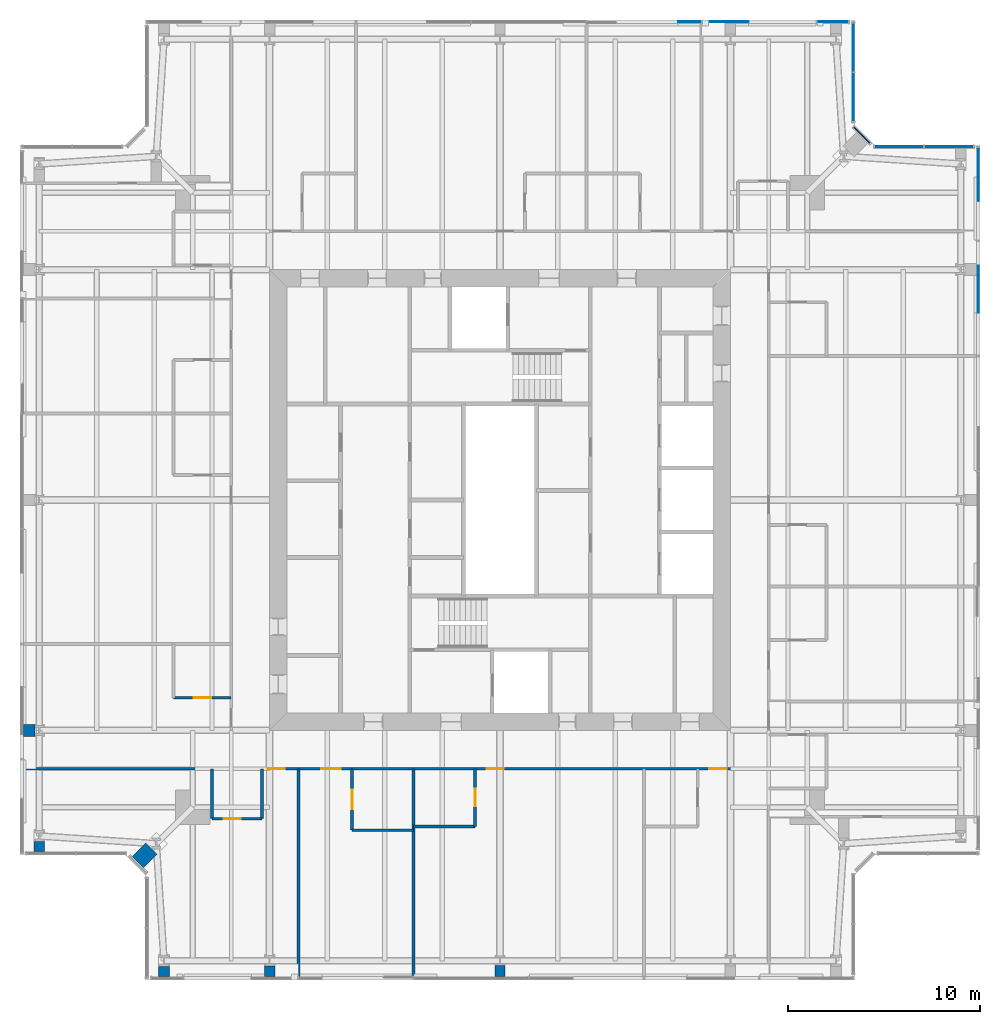
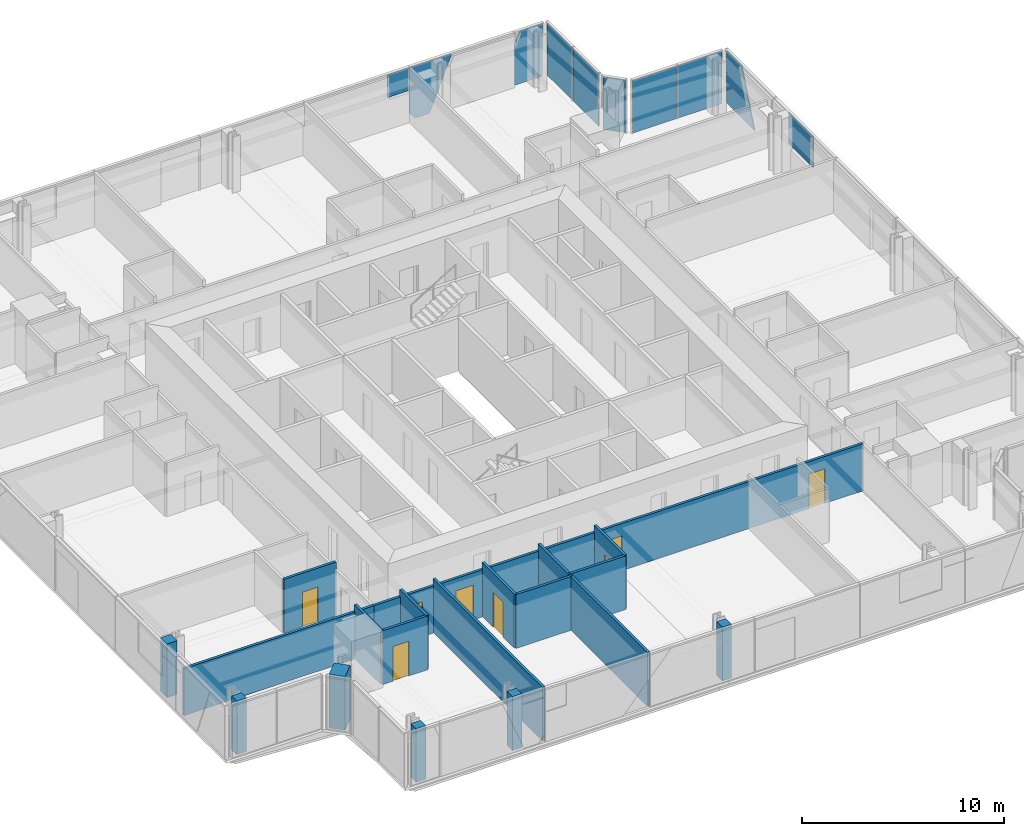
# One storey, part 11 of 19: 18 walls, 10 plates, 8 doors, 8 openings, 5 elements without a shape of their own.
"""IFC4 building model written with IfcOpenShell, lengths in metres."""

import ifcopenshell
import ifcopenshell.guid

model = None  # the IFC model being written
_history = None  # IfcOwnerHistory: only IFC2X3 demands one
_inside = {}  # id of a spatial element -> (the spatial element, [elements in it])
_under = {}  # id of a project, library or spatial element -> (it, [spatial elements below it])
_declared = {}  # id of a project -> (the project, [libraries it declares])
_typed = {}  # id of a type object -> (the type object, [elements of that type])
_made_of = {}  # id of a material, layer set ... -> (it, [elements and type objects made of it])


def new_model(schema):
    """Start an empty IFC model of exactly this schema.

    Asked for "IFC4X3", IfcOpenShell would pick the latest addendum, in which some entities
    have other attributes; the version numbers below select the first issue.
    IFC2X3 requires an IfcOwnerHistory on every rooted entity: one is made here for all.
    """
    global model, _history
    if schema == "IFC4X3":
        model = ifcopenshell.file(schema_version=(4, 3, 0, 0))
    else:
        model = ifcopenshell.file(schema=schema)
    _inside.clear()
    _under.clear()
    _declared.clear()
    _typed.clear()
    _made_of.clear()
    _history = None
    if model.schema == "IFC2X3":
        org = make("IfcOrganization", Name="unknown")
        user = make(
            "IfcPersonAndOrganization",
            ThePerson=make("IfcPerson", FamilyName="unknown"),
            TheOrganization=org,
        )
        app = make(
            "IfcApplication",
            ApplicationDeveloper=org,
            Version="unknown",
            ApplicationFullName="unknown",
            ApplicationIdentifier="unknown",
        )
        _history = make(
            "IfcOwnerHistory",
            OwningUser=user,
            OwningApplication=app,
            ChangeAction="ADDED",
            CreationDate=0,
        )
    return model


def make(cls, **values):
    """One entity of the class cls with the attributes given. An attribute that is None is left unset."""
    return model.create_entity(
        cls, **{name: value for name, value in values.items() if value is not None}
    )


def rooted(cls, **values):
    """An entity with a GlobalId (a new one), such as an element, a storey or a relation."""
    return make(cls, GlobalId=ifcopenshell.guid.new(), OwnerHistory=_history, **values)


def si_unit(unit_type, name, prefix=None):
    """IfcSIUnit, for example si_unit("LENGTHUNIT", "METRE", prefix="MILLI")."""
    return make("IfcSIUnit", UnitType=unit_type, Prefix=prefix, Name=name)


def assignment(units):
    """IfcUnitAssignment: the units of a project."""
    return None if units is None else make("IfcUnitAssignment", Units=units)


def point(xyz):
    """IfcCartesianPoint."""
    return None if xyz is None else make("IfcCartesianPoint", Coordinates=xyz)


def direction(xyz):
    """IfcDirection."""
    return None if xyz is None else make("IfcDirection", DirectionRatios=xyz)


def frame(location, z_axis=None, x_axis=None):
    """IfcAxis2Placement3D, a coordinate frame: its origin and axes. An axis left out is left unset."""
    return make(
        "IfcAxis2Placement3D",
        Location=point(location),
        Axis=direction(z_axis),
        RefDirection=direction(x_axis),
    )


def frame_2d(location, x_axis=None):
    """IfcAxis2Placement2D, a coordinate frame in the plane: its origin and x axis."""
    return make(
        "IfcAxis2Placement2D", Location=point(location), RefDirection=direction(x_axis)
    )


def origin():
    """The frame at (0, 0, 0) with its axes left unset."""
    return frame((0.0, 0.0, 0.0))


def origin_2d():
    """The frame at (0, 0) in the plane with its x axis left unset."""
    return frame_2d((0.0, 0.0))


def place(relative_to, where):
    """IfcLocalPlacement: puts the frame where relative to a parent placement (None: the world)."""
    return make(
        "IfcLocalPlacement", PlacementRelTo=relative_to, RelativePlacement=where
    )


def context(
    kind, dimensions, precision=None, world=None, true_north=None, identifier=None
):
    """IfcGeometricRepresentationContext, for example the 3D "Model" context."""
    return make(
        "IfcGeometricRepresentationContext",
        ContextIdentifier=identifier,
        ContextType=kind,
        CoordinateSpaceDimension=dimensions,
        Precision=precision,
        WorldCoordinateSystem=world,
        TrueNorth=true_north,
    )


def subcontext(parent, identifier, kind, view, scale=None):
    """IfcGeometricRepresentationSubContext, for example "Body" below "Model"."""
    return make(
        "IfcGeometricRepresentationSubContext",
        ContextIdentifier=identifier,
        ContextType=kind,
        ParentContext=parent,
        TargetScale=scale,
        TargetView=view,
    )


def project(units=None, contexts=None):
    """IfcProject with its units and contexts."""
    return rooted(
        "IfcProject",
        Name="project",
        RepresentationContexts=contexts,
        UnitsInContext=assignment(units),
    )


def spatial(cls, under=None, at=None, **own):
    """A site, building, storey or space (cls), placed at a placement, below another one or the project."""
    s = rooted(cls, ObjectPlacement=at, **own)
    if under is not None:
        _under.setdefault(under.id(), (under, []))[1].append(s)
    return s


def polyline(points):
    """IfcPolyline through the points."""
    return make("IfcPolyline", Points=[point(p) for p in points])


def profile(cls, at=None, kind="AREA", **sizes):
    """A parametric profile (cls). Its sizes go by their IFC names, for example OverallWidth=200.0."""
    return make(cls, ProfileType=kind, Position=at, **sizes)


def rectangle(**sizes):
    """IfcRectangleProfileDef."""
    return profile("IfcRectangleProfileDef", **sizes)


def outline(outer, holes=None, kind="AREA"):
    """IfcArbitraryClosedProfileDef: a profile drawn as a closed curve; with holes, ...WithVoids."""
    if holes is None:
        return make("IfcArbitraryClosedProfileDef", ProfileType=kind, OuterCurve=outer)
    return make(
        "IfcArbitraryProfileDefWithVoids",
        ProfileType=kind,
        OuterCurve=outer,
        InnerCurves=holes,
    )


def extrude(swept, where, along, depth):
    """IfcExtrudedAreaSolid: the profile swept, set in the frame where, extruded along a direction by depth."""
    return make(
        "IfcExtrudedAreaSolid",
        SweptArea=swept,
        Position=where,
        ExtrudedDirection=direction(along),
        Depth=depth,
    )


def shape(context_of_items, identifier, shape_type, items):
    """IfcShapeRepresentation: the items that make up one representation, for example the "Body"."""
    return make(
        "IfcShapeRepresentation",
        ContextOfItems=context_of_items,
        RepresentationIdentifier=identifier,
        RepresentationType=shape_type,
        Items=items,
    )


def material(Name=None, Category=None):
    """IfcMaterial."""
    return make("IfcMaterial", Name=Name, Category=Category)


def layer(
    of_material, thickness, ventilated=None, Name=None, Category=None, Priority=None
):
    """IfcMaterialLayer: one layer of a wall or slab, of a material (None: an air gap)."""
    return make(
        "IfcMaterialLayer",
        Material=of_material,
        LayerThickness=thickness,
        IsVentilated=ventilated,
        Name=Name,
        Category=Category,
        Priority=Priority,
    )


def layer_set(layers, Name=None):
    """IfcMaterialLayerSet."""
    return make("IfcMaterialLayerSet", MaterialLayers=layers, LayerSetName=Name)


def made_of(thing, what):
    """Note that an element or type object is made of a material, layer set ...; save() writes the relation."""
    if what is not None:
        _made_of.setdefault(what.id(), (what, []))[1].append(thing)
    return thing


def type_object(cls, material=None, **own):
    """A type object (cls), such as IfcWallType, which elements share."""
    return made_of(rooted(cls, **own), material)


def element(
    cls,
    number,
    at=None,
    inside=None,
    cuts=None,
    type_object=None,
    material=None,
    context=None,
    identifier="Body",
    shape_type=None,
    held_by="IfcProductDefinitionShape",
    body=None,
    shapes=None,
    **own,
):
    """One element of the class cls, such as IfcWall. Its Tag is "e" and its number.

    at: its placement. inside: the storey or other place that contains it. cuts: it is an
    opening in that element (IfcRelVoidsElement). A single representation is given by context,
    identifier, shape_type and body (its items); several are given by shapes. held_by: the class
    of the entity that holds the representations. save() writes the other relations.
    """
    e = rooted(cls, Tag="e%d" % number, ObjectPlacement=at, **own)
    if body is not None:
        shapes = [shape(context, identifier, shape_type, body)]
    if shapes is not None:
        e.Representation = make(held_by, Representations=shapes)
    if inside is not None:
        _inside.setdefault(inside.id(), (inside, []))[1].append(e)
    if cuts is not None:
        rooted(
            "IfcRelVoidsElement", RelatingBuildingElement=cuts, RelatedOpeningElement=e
        )
    if type_object is not None:
        _typed.setdefault(type_object.id(), (type_object, []))[1].append(e)
    return made_of(e, material)


def fill(opening, filler):
    """IfcRelFillsElement: the door or window that sits in an opening."""
    return rooted(
        "IfcRelFillsElement",
        RelatingOpeningElement=opening,
        RelatedBuildingElement=filler,
    )


def aggregate(whole, parts):
    """IfcRelAggregates: a whole, such as a stair, and the parts it consists of."""
    return rooted("IfcRelAggregates", RelatingObject=whole, RelatedObjects=parts)


def save(model, path):
    """Write the relations noted so far, then the file.

    IfcRelAggregates (storeys below a building ...), IfcRelContainedInSpatialStructure (elements
    in a storey), IfcRelDefinesByType, IfcRelAssociatesMaterial and IfcRelDeclares: one each for
    every whole, place, type object, material and project.
    """
    for whole, parts in _under.values():
        aggregate(whole, parts)
    for where, things in _inside.values():
        rooted(
            "IfcRelContainedInSpatialStructure",
            RelatedElements=things,
            RelatingStructure=where,
        )
    for kind, things in _typed.values():
        rooted("IfcRelDefinesByType", RelatedObjects=things, RelatingType=kind)
    for what, things in _made_of.values():
        rooted("IfcRelAssociatesMaterial", RelatedObjects=things, RelatingMaterial=what)
    for by, libraries in _declared.values():
        rooted("IfcRelDeclares", RelatingContext=by, RelatedDefinitions=libraries)
    model.write(path)


model = new_model("IFC4")

# Units and contexts
model_context = context("Model", 3, precision=1e-05, world=origin(), true_north=direction((0.0, 1.0)))
body_context = subcontext(model_context, "Body", "Model", "MODEL_VIEW")
ifc_project = project(units=[si_unit("LENGTHUNIT", "METRE"), si_unit("AREAUNIT", "SQUARE_METRE"), si_unit("VOLUMEUNIT", "CUBIC_METRE"), si_unit("PLANEANGLEUNIT", "RADIAN"), si_unit("MASSUNIT", "GRAM", prefix="KILO")], contexts=[model_context])

# Site, building, storey
site_placement = place(None, origin())
site = spatial("IfcSite", under=ifc_project, at=site_placement, CompositionType="ELEMENT")
building_placement = place(site_placement, origin())
building = spatial("IfcBuilding", under=site, at=building_placement, Name="Fenwick Lantern Interchange", CompositionType="ELEMENT")
storey_placement = place(building_placement, frame((0.0, 0.0, 273.0)))
storey = spatial("IfcBuildingStorey", under=building, at=storey_placement, Name="L65", CompositionType="ELEMENT", Elevation=273.0)

# Curtain wall, plates
ifc_material_1 = material(Name="Aluminium curtain wall frame", Category="aluminium")
curtain_wall_type = type_object("IfcCurtainWallType", Name="HOTEL CURTAIN WALL", PredefinedType="USERDEFINED", material=ifc_material_1)
curtain_wall_1_placement = place(storey_placement, origin())
curtain_wall_1 = element("IfcCurtainWall", 1, at=curtain_wall_1_placement, inside=storey, type_object=curtain_wall_type, Name="Hotel curtain wall 05", ObjectType="HOTEL CURTAIN WALL", PredefinedType="USERDEFINED")
ifc_material_2 = material(Name="Vision glass, acoustic laminated double glazed unit", Category="glass")
ifc_layer_1 = layer(ifc_material_2, 0.052001953125)
ifc_layer_set_1 = layer_set([ifc_layer_1], Name="HOTEL CURTAIN WALL PANEL 52")
plate_type = type_object("IfcPlateType", Name="HOTEL CURTAIN WALL PANEL 52", PredefinedType="CURTAIN_PANEL", material=ifc_layer_set_1)
plate_1_placement = place(storey_placement, frame((49.89990234375, 6.60009765625, 1.2685546875), z_axis=(0.0, 0.0, 1.0), x_axis=(0.0, 1.0, 0.0)))
plate_1 = element("IfcPlate", 2, at=plate_1_placement, type_object=plate_type, Name="L65/CW/05/P05a", PredefinedType="CURTAIN_PANEL", context=body_context, shape_type="SweptSolid", body=[
    extrude(outline(polyline([(28.146484375, 0.0), (30.59130859375, 0.0), (30.59130859375, 1.88134765625), (28.146484375, 1.88134765625), (28.146484375, 0.0)])), frame((0.0, 0.02587890625, 0.0), z_axis=(0.0, -1.0, 0.0), x_axis=(1.0, 0.0, 0.0)), (0.0, 0.0, 1.0), 0.052001953125),
])
plate_2_placement = place(storey_placement, frame((49.89990234375, 6.60009765625, 0.0), z_axis=(0.0, 0.0, 1.0), x_axis=(0.0, 1.0, 0.0)))
plate_2 = element("IfcPlate", 3, at=plate_2_placement, type_object=plate_type, Name="L65/CW/05/P06a", PredefinedType="CURTAIN_PANEL", context=body_context, shape_type="SweptSolid", body=[
    extrude(outline(polyline([(33.961669921875, 0.0), (36.739990234375, 0.0), (36.739990234375, 3.14990234375), (35.235595703125, 3.14990234375), (33.961669921875, 0.0)])), frame((0.0, 0.02587890625, 0.0), z_axis=(0.0, -1.0, 0.0), x_axis=(1.0, 0.0, 0.0)), (0.0, 0.0, 1.0), 0.052001953125),
])
aggregate(curtain_wall_1, [plate_1, plate_2])

curtain_wall_2_placement = place(storey_placement, origin())
curtain_wall_2 = element("IfcCurtainWall", 4, at=curtain_wall_2_placement, inside=storey, type_object=curtain_wall_type, Name="Hotel curtain wall 06", ObjectType="HOTEL CURTAIN WALL", PredefinedType="USERDEFINED")
plate_3_placement = place(storey_placement, frame((48.374755859375, 43.39990234375, 0.0), z_axis=(0.0, 0.0, 1.0), x_axis=(-1.0, 0.0, 0.0)))
plate_3 = element("IfcPlate", 5, at=plate_3_placement, type_object=plate_type, Name="L65/CW/06/P00", PredefinedType="CURTAIN_PANEL", context=body_context, shape_type="SweptSolid", body=[
    extrude(rectangle(XDim=2.53076171875, YDim=0.052001953125, at=origin_2d()), origin(), (0.0, 0.0, 1.0), 3.14990234375),
])
plate_4_placement = place(storey_placement, frame((45.783935546875, 43.39990234375, 0.0), z_axis=(0.0, 0.0, 1.0), x_axis=(-1.0, 0.0, 0.0)))
plate_4 = element("IfcPlate", 6, at=plate_4_placement, type_object=plate_type, Name="L65/CW/06/P01", PredefinedType="CURTAIN_PANEL", context=body_context, shape_type="SweptSolid", body=[
    extrude(rectangle(XDim=2.53076171875, YDim=0.052001953125, at=origin_2d()), origin(), (0.0, 0.0, 1.0), 3.14990234375),
])
aggregate(curtain_wall_2, [plate_3, plate_4])

# Curtain wall, plate
curtain_wall_3_placement = place(storey_placement, origin())
curtain_wall_3 = element("IfcCurtainWall", 7, at=curtain_wall_3_placement, inside=storey, type_object=curtain_wall_type, Name="Hotel curtain wall 07", ObjectType="HOTEL CURTAIN WALL", PredefinedType="USERDEFINED")
plate_5_placement = place(storey_placement, frame((43.858642578125, 44.0, 0.0), z_axis=(0.0, 0.0, 1.0), x_axis=(-0.707106781187, 0.707106781187, 0.0)))
plate_5 = element("IfcPlate", 8, at=plate_5_placement, type_object=plate_type, Name="L65/CW/07/P00", PredefinedType="CURTAIN_PANEL", context=body_context, shape_type="SweptSolid", body=[
    extrude(rectangle(XDim=1.177001953125, YDim=0.052001953125, at=origin_2d()), origin(), (0.0, 0.0, 1.0), 3.14990234375),
])
aggregate(curtain_wall_3, [plate_5])

# Curtain wall, plates
curtain_wall_4_placement = place(storey_placement, origin())
curtain_wall_4 = element("IfcCurtainWall", 9, at=curtain_wall_4_placement, inside=storey, type_object=curtain_wall_type, Name="Hotel curtain wall 08", ObjectType="HOTEL CURTAIN WALL", PredefinedType="USERDEFINED")
plate_6_placement = place(storey_placement, frame((43.39990234375, 45.98388671875, 0.0), z_axis=(0.0, 0.0, 1.0), x_axis=(0.0, 1.0, 0.0)))
plate_6 = element("IfcPlate", 10, at=plate_6_placement, type_object=plate_type, Name="L65/CW/08/P00", PredefinedType="CURTAIN_PANEL", context=body_context, shape_type="SweptSolid", body=[
    extrude(rectangle(XDim=2.53076171875, YDim=0.052001953125, at=origin_2d()), origin(), (0.0, 0.0, 1.0), 3.14990234375),
])
plate_7_placement = place(storey_placement, frame((43.39990234375, 48.57470703125, 0.0), z_axis=(0.0, 0.0, 1.0), x_axis=(0.0, 1.0, 0.0)))
plate_7 = element("IfcPlate", 11, at=plate_7_placement, type_object=plate_type, Name="L65/CW/08/P01", PredefinedType="CURTAIN_PANEL", context=body_context, shape_type="SweptSolid", body=[
    extrude(rectangle(XDim=2.53076171875, YDim=0.052001953125, at=origin_2d()), origin(), (0.0, 0.0, 1.0), 3.14990234375),
])
aggregate(curtain_wall_4, [plate_6, plate_7])

curtain_wall_5_placement = place(storey_placement, origin())
curtain_wall_5 = element("IfcCurtainWall", 12, at=curtain_wall_5_placement, inside=storey, type_object=curtain_wall_type, Name="Hotel curtain wall 09", ObjectType="HOTEL CURTAIN WALL", PredefinedType="USERDEFINED")
plate_8_placement = place(storey_placement, frame((43.39990234375, 49.89990234375, 0.0), z_axis=(0.0, 0.0, 1.0), x_axis=(-1.0, 0.0, 0.0)))
plate_8 = element("IfcPlate", 13, at=plate_8_placement, type_object=plate_type, Name="L65/CW/09/P00a", PredefinedType="CURTAIN_PANEL", context=body_context, shape_type="SweptSolid", body=[
    extrude(outline(polyline([(0.260009765625, 0.0), (1.8701171875, 0.0), (1.8701171875, 2.394287109375), (1.564453125, 3.14990234375), (0.260009765625, 3.14990234375), (0.260009765625, 0.0)])), frame((0.0, 0.02587890625, 0.0), z_axis=(0.0, -1.0, 0.0), x_axis=(1.0, 0.0, 0.0)), (0.0, 0.0, 1.0), 0.052001953125),
])
plate_9_placement = place(storey_placement, frame((43.39990234375, 49.89990234375, 0.0), z_axis=(0.0, 0.0, 1.0), x_axis=(-1.0, 0.0, 0.0)))
plate_9 = element("IfcPlate", 14, at=plate_9_placement, type_object=plate_type, Name="L65/CW/09/P01a", PredefinedType="CURTAIN_PANEL", context=body_context, shape_type="SweptSolid", body=[
    extrude(outline(polyline([(6.721435546875, 0.0), (7.5341796875, 0.0), (7.8701171875, 0.380615234375), (7.8701171875, 3.14990234375), (5.44775390625, 3.14990234375), (6.721435546875, 0.0)])), frame((0.0, 0.02587890625, 0.0), z_axis=(0.0, -1.0, 0.0), x_axis=(1.0, 0.0, 0.0)), (0.0, 0.0, 1.0), 0.052001953125),
])
plate_10_placement = place(storey_placement, frame((43.39990234375, 49.89990234375, 1.79736328125), z_axis=(0.0, 0.0, 1.0), x_axis=(-1.0, 0.0, 0.0)))
plate_10 = element("IfcPlate", 15, at=plate_10_placement, type_object=plate_type, Name="L65/CW/09/P02a", PredefinedType="CURTAIN_PANEL", context=body_context, shape_type="SweptSolid", body=[
    extrude(outline(polyline([(7.929931640625, 0.0), (9.1201171875, 0.0), (9.1201171875, 1.3525390625), (7.929931640625, 1.3525390625), (7.929931640625, 0.0)])), frame((0.0, 0.02587890625, 0.0), z_axis=(0.0, -1.0, 0.0), x_axis=(1.0, 0.0, 0.0)), (0.0, 0.0, 1.0), 0.052001953125),
])
aggregate(curtain_wall_5, [plate_8, plate_9, plate_10])

# Walls
ifc_material_3 = material(Name="Fire-rated gypsum board encasement on steel studs, 2 hour", Category="steel")
ifc_layer_2 = layer(ifc_material_3, 0.52392578125)
ifc_layer_set_2 = layer_set([ifc_layer_2], Name="COLUMN PIER 524")
wall_type_1 = type_object("IfcWallType", Name="COLUMN PIER 524", PredefinedType="PARTITIONING", material=ifc_layer_set_2)
wall_1_placement = place(storey_placement, frame((25.0, 0.18994140625, 0.0), z_axis=(0.0, 0.0, 1.0), x_axis=(0.0, 1.0, 0.0)))
element("IfcWall", 16, at=wall_1_placement, inside=storey, type_object=wall_type_1, Name="L65/W/PIER/CS3", PredefinedType="PARTITIONING", context=body_context, shape_type="SweptSolid", body=[
    extrude(rectangle(XDim=0.572509765625, YDim=0.52392578125, at=frame_2d((0.2861328125, 0.0))), origin(), (0.0, 0.0, 1.0), 3.25),
])
ifc_layer_3 = layer(ifc_material_3, 0.5419921875)
ifc_layer_set_3 = layer_set([ifc_layer_3], Name="COLUMN PIER 542")
wall_type_2 = type_object("IfcWallType", Name="COLUMN PIER 542", PredefinedType="PARTITIONING", material=ifc_layer_set_3)
wall_2_placement = place(storey_placement, frame((13.0, 0.18994140625, 0.0), z_axis=(0.0, 0.0, 1.0), x_axis=(0.0, 1.0, 0.0)))
element("IfcWall", 17, at=wall_2_placement, inside=storey, type_object=wall_type_2, Name="L65/W/PIER/CS2", PredefinedType="PARTITIONING", context=body_context, shape_type="SweptSolid", body=[
    extrude(rectangle(XDim=0.544677734375, YDim=0.5419921875, at=frame_2d((0.2724609375, 0.0))), origin(), (0.0, 0.0, 1.0), 3.25),
])
ifc_layer_4 = layer(ifc_material_3, 0.554931640625)
ifc_layer_set_4 = layer_set([ifc_layer_4], Name="COLUMN PIER 555")
wall_type_3 = type_object("IfcWallType", Name="COLUMN PIER 555", PredefinedType="PARTITIONING", material=ifc_layer_set_4)
for number, where, z_axis, x_axis, name in (
    (18, (7.5, 0.18994140625, 0.0), (0.0, 0.0, 1.0), (0.0, 1.0, 0.0), "L65/W/PIER/CS1"),
    (19, (1.0, 6.68994140625, 0.0), (0.0, 0.0, 1.0), (0.0, 1.0, 0.0), "L65/W/PIER/CW5"),
):
    element("IfcWall", number, at=place(storey_placement, frame(where, z_axis=z_axis, x_axis=x_axis)), inside=storey, type_object=wall_type_3, Name=name, PredefinedType="PARTITIONING", context=body_context, shape_type="SweptSolid", body=[
        extrude(rectangle(XDim=0.525634765625, YDim=0.554931640625, at=frame_2d((0.2626953125, 0.0))), origin(), (0.0, 0.0, 1.0), 3.25),
    ])
ifc_layer_5 = layer(ifc_material_3, 0.631103515625)
ifc_layer_set_5 = layer_set([ifc_layer_5], Name="COLUMN PIER 631")
wall_type_4 = type_object("IfcWallType", Name="COLUMN PIER 631", PredefinedType="PARTITIONING", material=ifc_layer_set_5)
wall_3_placement = place(storey_placement, frame((0.18994140625, 13.0, 0.0), z_axis=(0.0, 0.0, 1.0), x_axis=(1.0, 0.0, 0.0)))
element("IfcWall", 20, at=wall_3_placement, inside=storey, type_object=wall_type_4, Name="L65/W/PIER/CW4", PredefinedType="PARTITIONING", context=body_context, shape_type="SweptSolid", body=[
    extrude(rectangle(XDim=0.589111328125, YDim=0.631103515625, at=frame_2d((0.29443359375, 0.0))), origin(), (0.0, 0.0, 1.0), 3.25),
])
ifc_layer_6 = layer(ifc_material_3, 0.823974609375)
ifc_layer_set_6 = layer_set([ifc_layer_6], Name="COLUMN PIER 824")
wall_type_5 = type_object("IfcWallType", Name="COLUMN PIER 824", PredefinedType="PARTITIONING", material=ifc_layer_set_6)
wall_4_placement = place(storey_placement, frame((6.13427734375, 6.13427734375, 0.0), z_axis=(0.0, 0.0, 1.0), x_axis=(0.707106781187, 0.707106781187, 0.0)))
element("IfcWall", 21, at=wall_4_placement, inside=storey, type_object=wall_type_5, Name="L65/W/PIER/CWR", PredefinedType="PARTITIONING", context=body_context, shape_type="SweptSolid", body=[
    extrude(rectangle(XDim=1.003662109375, YDim=0.823974609375, at=frame_2d((0.501953125, 0.0))), origin(), (0.0, 0.0, 1.0), 3.25),
])

# Wall, openings, doors
ifc_material_4 = material(Name="Gypsum board on steel studs, 1 hour", Category="steel")
ifc_layer_7 = layer(ifc_material_4, 0.14990234375)
ifc_layer_set_7 = layer_set([ifc_layer_7], Name="CORRIDOR WALL 150")
wall_type_6 = type_object("IfcWallType", Name="CORRIDOR WALL 150", PredefinedType="PARTITIONING", material=ifc_layer_set_7)
wall_5_placement = place(storey_placement, frame((11.0, 11.0, 0.0), z_axis=(0.0, 0.0, 1.0), x_axis=(1.0, 0.0, 0.0)))
wall_5 = element("IfcWall", 22, at=wall_5_placement, inside=storey, type_object=wall_type_6, Name="L65/W/HOTEL/S/CW", PredefinedType="PARTITIONING", context=body_context, shape_type="SweptSolid", body=[
    extrude(rectangle(XDim=28.0, YDim=0.14990234375, at=frame_2d((14.0, 0.0))), origin(), (0.0, 0.0, 1.0), 2.843505859375),
])
opening_1_placement = place(wall_5_placement, frame((1.89990234375, 0.0, 0.0)))
opening_1 = element("IfcOpeningElement", 23, at=opening_1_placement, cuts=wall_5, Name="Opening L65-D025", PredefinedType="OPENING", context=body_context, shape_type="SweptSolid", body=[
    extrude(rectangle(XDim=0.89990234375, YDim=2.10009765625, at=frame_2d((0.449951171875, 1.050048828125))), frame((0.0, 0.0849609375, 0.0), z_axis=(0.0, -1.0, 0.0), x_axis=(1.0, 0.0, 0.0)), (0.0, 0.0, 1.0), 0.169921875),
])
opening_2_placement = place(wall_5_placement, frame((4.699951171875, 0.0, 0.0)))
opening_2 = element("IfcOpeningElement", 24, at=opening_2_placement, cuts=wall_5, Name="Opening L65-D028", PredefinedType="OPENING", context=body_context, shape_type="SweptSolid", body=[
    extrude(rectangle(XDim=1.0, YDim=2.10009765625, at=frame_2d((0.5, 1.050048828125))), frame((0.0, 0.0849609375, 0.0), z_axis=(0.0, -1.0, 0.0), x_axis=(1.0, 0.0, 0.0)), (0.0, 0.0, 1.0), 0.169921875),
])
opening_3_placement = place(wall_5_placement, frame((13.300048828125, 0.0, 0.0)))
opening_3 = element("IfcOpeningElement", 25, at=opening_3_placement, cuts=wall_5, Name="Opening L65-D030", PredefinedType="OPENING", context=body_context, shape_type="SweptSolid", body=[
    extrude(rectangle(XDim=0.89990234375, YDim=2.10009765625, at=frame_2d((0.449951171875, 1.050048828125))), frame((0.0, 0.0849609375, 0.0), z_axis=(0.0, -1.0, 0.0), x_axis=(1.0, 0.0, 0.0)), (0.0, 0.0, 1.0), 0.169921875),
])
opening_4_placement = place(wall_5_placement, frame((24.89990234375, 0.0, 0.0)))
opening_4 = element("IfcOpeningElement", 26, at=opening_4_placement, cuts=wall_5, Name="Opening L65-D032", PredefinedType="OPENING", context=body_context, shape_type="SweptSolid", body=[
    extrude(rectangle(XDim=0.89990234375, YDim=2.10009765625, at=frame_2d((0.449951171875, 1.050048828125))), frame((0.0, 0.0849609375, 0.0), z_axis=(0.0, -1.0, 0.0), x_axis=(1.0, 0.0, 0.0)), (0.0, 0.0, 1.0), 0.169921875),
])
ifc_material_5 = material(Name="Steel door and frame", Category="steel")
door_type_1 = type_object("IfcDoorType", Name="GUEST ROOM DOOR 1000 X 2100", OperationType="SINGLE_SWING_LEFT", PredefinedType="DOOR", material=ifc_material_5)
door_1_placement = place(opening_2_placement, frame((1.0, 0.0, 0.0), z_axis=(0.0, 0.0, 1.0), x_axis=(-1.0, 0.0, 0.0)))
door_1 = element("IfcDoor", 27, at=door_1_placement, inside=storey, type_object=door_type_1, Name="Guest room door", OperationType="SINGLE_SWING_LEFT", OverallHeight=2.10009765625, OverallWidth=1.0, PredefinedType="DOOR", context=body_context, shape_type="SweptSolid", body=[
    extrude(rectangle(XDim=1.0, YDim=2.10009765625, at=frame_2d((0.5, 1.050048828125))), frame((0.0, 0.02490234375, 0.0), z_axis=(0.0, -1.0, 0.0), x_axis=(1.0, 0.0, 0.0)), (0.0, 0.0, 1.0), 0.050048828125),
])
fill(opening_2, door_1)
door_type_2 = type_object("IfcDoorType", Name="GUEST ROOM DOOR 900 X 2100", OperationType="SINGLE_SWING_LEFT", PredefinedType="DOOR", material=ifc_material_5)
door_2_placement = place(opening_1_placement, frame((0.89990234375, 0.0, 0.0), z_axis=(0.0, 0.0, 1.0), x_axis=(-1.0, 0.0, 0.0)))
door_2 = element("IfcDoor", 28, at=door_2_placement, inside=storey, type_object=door_type_2, Name="Guest room door", OperationType="SINGLE_SWING_RIGHT", OverallHeight=2.10009765625, OverallWidth=0.89990234375, PredefinedType="DOOR", context=body_context, shape_type="SweptSolid", body=[
    extrude(rectangle(XDim=0.89990234375, YDim=2.10009765625, at=frame_2d((0.449951171875, 1.050048828125))), frame((0.0, 0.02490234375, 0.0), z_axis=(0.0, -1.0, 0.0), x_axis=(1.0, 0.0, 0.0)), (0.0, 0.0, 1.0), 0.050048828125),
])
fill(opening_1, door_2)
door_3_placement = place(opening_3_placement, frame((0.89990234375, 0.0, 0.0), z_axis=(0.0, 0.0, 1.0), x_axis=(-1.0, 0.0, 0.0)))
door_3 = element("IfcDoor", 29, at=door_3_placement, inside=storey, type_object=door_type_2, Name="Guest room door", OperationType="SINGLE_SWING_RIGHT", OverallHeight=2.10009765625, OverallWidth=0.89990234375, PredefinedType="DOOR", context=body_context, shape_type="SweptSolid", body=[
    extrude(rectangle(XDim=0.89990234375, YDim=2.10009765625, at=frame_2d((0.449951171875, 1.050048828125))), frame((0.0, 0.02490234375, 0.0), z_axis=(0.0, -1.0, 0.0), x_axis=(1.0, 0.0, 0.0)), (0.0, 0.0, 1.0), 0.050048828125),
])
fill(opening_3, door_3)
door_4_placement = place(opening_4_placement, frame((0.89990234375, 0.0, 0.0), z_axis=(0.0, 0.0, 1.0), x_axis=(-1.0, 0.0, 0.0)))
door_4 = element("IfcDoor", 30, at=door_4_placement, inside=storey, type_object=door_type_2, Name="Guest room door", OperationType="SINGLE_SWING_RIGHT", OverallHeight=2.10009765625, OverallWidth=0.89990234375, PredefinedType="DOOR", context=body_context, shape_type="SweptSolid", body=[
    extrude(rectangle(XDim=0.89990234375, YDim=2.10009765625, at=frame_2d((0.449951171875, 1.050048828125))), frame((0.0, 0.02490234375, 0.0), z_axis=(0.0, -1.0, 0.0), x_axis=(1.0, 0.0, 0.0)), (0.0, 0.0, 1.0), 0.050048828125),
])
fill(opening_4, door_4)

# Wall, opening, door
ifc_material_6 = material(Name="Gypsum board on steel studs, moisture resistant", Category="steel")
ifc_layer_8 = layer(ifc_material_6, 0.14990234375)
ifc_layer_set_8 = layer_set([ifc_layer_8], Name="EN-SUITE WALL 150")
wall_type_7 = type_object("IfcWallType", Name="EN-SUITE WALL 150", PredefinedType="PARTITIONING", material=ifc_layer_set_8)
wall_6_placement = place(storey_placement, frame((10.0, 8.39990234375, 0.0), z_axis=(0.0, 0.0, 1.0), x_axis=(1.0, 0.0, 0.0)))
wall_6 = element("IfcWall", 31, at=wall_6_placement, inside=storey, type_object=wall_type_7, Name="L65/W/HOTEL/S/U1BW", PredefinedType="PARTITIONING", context=body_context, shape_type="SweptSolid", body=[
    extrude(rectangle(XDim=2.60009765625, YDim=0.14990234375, at=frame_2d((1.300048828125, 0.0))), origin(), (0.0, 0.0, 1.0), 3.25),
])
opening_5_placement = place(wall_6_placement, frame((0.60009765625, 0.0, 0.0)))
opening_5 = element("IfcOpeningElement", 32, at=opening_5_placement, cuts=wall_6, Name="Opening L65-D026", PredefinedType="OPENING", context=body_context, shape_type="SweptSolid", body=[
    extrude(rectangle(XDim=0.89990234375, YDim=2.10009765625, at=frame_2d((0.449951171875, 1.050048828125))), frame((0.0, 0.0849609375, 0.0), z_axis=(0.0, -1.0, 0.0), x_axis=(1.0, 0.0, 0.0)), (0.0, 0.0, 1.0), 0.169921875),
])
ifc_material_7 = material(Name="Hardwood door and steel frame", Category="steel")
door_type_3 = type_object("IfcDoorType", Name="EN-SUITE DOOR 900 X 2100", OperationType="SINGLE_SWING_LEFT", PredefinedType="DOOR", material=ifc_material_7)
door_5_placement = place(opening_5_placement, origin())
door_5 = element("IfcDoor", 33, at=door_5_placement, inside=storey, type_object=door_type_3, Name="En-suite door", OperationType="SINGLE_SWING_LEFT", OverallHeight=2.10009765625, OverallWidth=0.89990234375, PredefinedType="DOOR", context=body_context, shape_type="SweptSolid", body=[
    extrude(rectangle(XDim=0.89990234375, YDim=2.10009765625, at=frame_2d((0.449951171875, 1.050048828125))), frame((0.0, 0.02490234375, 0.0), z_axis=(0.0, -1.0, 0.0), x_axis=(1.0, 0.0, 0.0)), (0.0, 0.0, 1.0), 0.050048828125),
])
fill(opening_5, door_5)

# Walls
for number, where, z_axis, x_axis, name in (
    (34, (10.0, 8.39990234375, 0.0), (0.0, 0.0, 1.0), (0.0, 1.0, 0.0), "L65/W/HOTEL/S/U1BX"),
    (35, (12.60009765625, 8.39990234375, 0.0), (0.0, 0.0, 1.0), (0.0, 1.0, 0.0), "L65/W/HOTEL/S/U1BE"),
):
    element("IfcWall", number, at=place(storey_placement, frame(where, z_axis=z_axis, x_axis=x_axis)), inside=storey, type_object=wall_type_7, Name=name, PredefinedType="PARTITIONING", context=body_context, shape_type="SweptSolid", body=[
        extrude(rectangle(XDim=2.60009765625, YDim=0.14990234375, at=frame_2d((1.300048828125, 0.0))), origin(), (0.0, 0.0, 1.0), 3.25),
    ])
wall_7_placement = place(storey_placement, frame((17.300048828125, 7.800048828125, 0.0), z_axis=(0.0, 0.0, 1.0), x_axis=(1.0, 0.0, 0.0)))
element("IfcWall", 36, at=wall_7_placement, inside=storey, type_object=wall_type_7, Name="L65/W/HOTEL/S/U2BW", PredefinedType="PARTITIONING", context=body_context, shape_type="SweptSolid", body=[
    extrude(rectangle(XDim=3.199951171875, YDim=0.14990234375, at=frame_2d((1.60009765625, 0.0))), origin(), (0.0, 0.0, 1.0), 3.25),
])

# Wall, opening, door
wall_8_placement = place(storey_placement, frame((17.300048828125, 7.800048828125, 0.0), z_axis=(0.0, 0.0, 1.0), x_axis=(0.0, 1.0, 0.0)))
wall_8 = element("IfcWall", 37, at=wall_8_placement, inside=storey, type_object=wall_type_7, Name="L65/W/HOTEL/S/U2BX", PredefinedType="PARTITIONING", context=body_context, shape_type="SweptSolid", body=[
    extrude(rectangle(XDim=3.199951171875, YDim=0.14990234375, at=frame_2d((1.60009765625, 0.0))), origin(), (0.0, 0.0, 1.0), 3.25),
])
opening_6_placement = place(wall_8_placement, frame((1.10009765625, 0.0, 0.0)))
opening_6 = element("IfcOpeningElement", 38, at=opening_6_placement, cuts=wall_8, Name="Opening L65-D027", PredefinedType="OPENING", context=body_context, shape_type="SweptSolid", body=[
    extrude(rectangle(XDim=1.0, YDim=2.10009765625, at=frame_2d((0.5, 1.050048828125))), frame((0.0, 0.0849609375, 0.0), z_axis=(0.0, -1.0, 0.0), x_axis=(1.0, 0.0, 0.0)), (0.0, 0.0, 1.0), 0.169921875),
])
door_type_4 = type_object("IfcDoorType", Name="EN-SUITE DOOR 1000 X 2100", OperationType="SINGLE_SWING_LEFT", PredefinedType="DOOR", material=ifc_material_7)
door_6_placement = place(opening_6_placement, frame((1.0, 0.0, 0.0), z_axis=(0.0, 0.0, 1.0), x_axis=(-1.0, 0.0, 0.0)))
door_6 = element("IfcDoor", 39, at=door_6_placement, inside=storey, type_object=door_type_4, Name="En-suite door", OperationType="SINGLE_SWING_RIGHT", OverallHeight=2.10009765625, OverallWidth=1.0, PredefinedType="DOOR", context=body_context, shape_type="SweptSolid", body=[
    extrude(rectangle(XDim=1.0, YDim=2.10009765625, at=frame_2d((0.5, 1.050048828125))), frame((0.0, 0.02490234375, 0.0), z_axis=(0.0, -1.0, 0.0), x_axis=(1.0, 0.0, 0.0)), (0.0, 0.0, 1.0), 0.050048828125),
])
fill(opening_6, door_6)

# Wall
wall_9_placement = place(storey_placement, frame((20.5, 8.0, 0.0), z_axis=(0.0, 0.0, 1.0), x_axis=(1.0, 0.0, 0.0)))
element("IfcWall", 40, at=wall_9_placement, inside=storey, type_object=wall_type_7, Name="L65/W/HOTEL/S/U3BW", PredefinedType="PARTITIONING", context=body_context, shape_type="SweptSolid", body=[
    extrude(rectangle(XDim=3.199951171875, YDim=0.14990234375, at=frame_2d((1.60009765625, 0.0))), origin(), (0.0, 0.0, 1.0), 3.25),
])

# Wall, opening, door
wall_10_placement = place(storey_placement, frame((23.699951171875, 8.0, 0.0), z_axis=(0.0, 0.0, 1.0), x_axis=(0.0, 1.0, 0.0)))
wall_10 = element("IfcWall", 41, at=wall_10_placement, inside=storey, type_object=wall_type_7, Name="L65/W/HOTEL/S/U3BX", PredefinedType="PARTITIONING", context=body_context, shape_type="SweptSolid", body=[
    extrude(rectangle(XDim=3.0, YDim=0.14990234375, at=frame_2d((1.5, 0.0))), origin(), (0.0, 0.0, 1.0), 3.25),
])
opening_7_placement = place(wall_10_placement, frame((1.050048828125, 0.0, 0.0)))
opening_7 = element("IfcOpeningElement", 42, at=opening_7_placement, cuts=wall_10, Name="Opening L65-D029", PredefinedType="OPENING", context=body_context, shape_type="SweptSolid", body=[
    extrude(rectangle(XDim=0.89990234375, YDim=2.10009765625, at=frame_2d((0.449951171875, 1.050048828125))), frame((0.0, 0.0849609375, 0.0), z_axis=(0.0, -1.0, 0.0), x_axis=(1.0, 0.0, 0.0)), (0.0, 0.0, 1.0), 0.169921875),
])
door_7_placement = place(opening_7_placement, origin())
door_7 = element("IfcDoor", 43, at=door_7_placement, inside=storey, type_object=door_type_3, Name="En-suite door", OperationType="SINGLE_SWING_LEFT", OverallHeight=2.10009765625, OverallWidth=0.89990234375, PredefinedType="DOOR", context=body_context, shape_type="SweptSolid", body=[
    extrude(rectangle(XDim=0.89990234375, YDim=2.10009765625, at=frame_2d((0.449951171875, 1.050048828125))), frame((0.0, 0.02490234375, 0.0), z_axis=(0.0, -1.0, 0.0), x_axis=(1.0, 0.0, 0.0)), (0.0, 0.0, 1.0), 0.050048828125),
])
fill(opening_7, door_7)

wall_11_placement = place(storey_placement, frame((8.0, 14.699951171875, 0.0), z_axis=(0.0, 0.0, 1.0), x_axis=(1.0, 0.0, 0.0)))
wall_11 = element("IfcWall", 44, at=wall_11_placement, inside=storey, type_object=wall_type_7, Name="L65/W/HOTEL/W/U4BX", PredefinedType="PARTITIONING", context=body_context, shape_type="SweptSolid", body=[
    extrude(rectangle(XDim=3.0, YDim=0.14990234375, at=frame_2d((1.5, 0.0))), origin(), (0.0, 0.0, 1.0), 3.25),
])
opening_8_placement = place(wall_11_placement, frame((1.050048828125, 0.0, 0.0)))
opening_8 = element("IfcOpeningElement", 45, at=opening_8_placement, cuts=wall_11, Name="Opening L65-D057", PredefinedType="OPENING", context=body_context, shape_type="SweptSolid", body=[
    extrude(rectangle(XDim=0.89990234375, YDim=2.10009765625, at=frame_2d((0.449951171875, 1.050048828125))), frame((0.0, 0.0849609375, 0.0), z_axis=(0.0, -1.0, 0.0), x_axis=(1.0, 0.0, 0.0)), (0.0, 0.0, 1.0), 0.169921875),
])
door_8_placement = place(opening_8_placement, origin())
door_8 = element("IfcDoor", 46, at=door_8_placement, inside=storey, type_object=door_type_3, Name="En-suite door", OperationType="SINGLE_SWING_LEFT", OverallHeight=2.10009765625, OverallWidth=0.89990234375, PredefinedType="DOOR", context=body_context, shape_type="SweptSolid", body=[
    extrude(rectangle(XDim=0.89990234375, YDim=2.10009765625, at=frame_2d((0.449951171875, 1.050048828125))), frame((0.0, 0.02490234375, 0.0), z_axis=(0.0, -1.0, 0.0), x_axis=(1.0, 0.0, 0.0)), (0.0, 0.0, 1.0), 0.050048828125),
])
fill(opening_8, door_8)

# Walls
ifc_material_8 = material(Name="Gypsum board on steel studs, 1 hour acoustic", Category="steel")
ifc_layer_9 = layer(ifc_material_8, 0.14990234375)
ifc_layer_set_9 = layer_set([ifc_layer_9], Name="PARTY WALL 150")
wall_type_8 = type_object("IfcWallType", Name="PARTY WALL 150", PredefinedType="PARTITIONING", material=ifc_layer_set_9)
wall_12_placement = place(storey_placement, frame((0.14990234375, 11.0, 0.0), z_axis=(0.0, 0.0, 1.0), x_axis=(1.0, 0.0, 0.0)))
element("IfcWall", 47, at=wall_12_placement, inside=storey, type_object=wall_type_8, Name="L65/W/HOTEL/S/SW3", PredefinedType="PARTITIONING", context=body_context, shape_type="SweptSolid", body=[
    extrude(rectangle(XDim=10.85009765625, YDim=0.14990234375, at=frame_2d((5.425048828125, 0.0))), origin(), (0.0, 0.0, 1.0), 2.843505859375),
])
for number, where, z_axis, x_axis, name in (
    (48, (14.5, 0.14990234375, 0.0), (0.0, 0.0, 1.0), (0.0, 1.0, 0.0), "L65/W/HOTEL/S/U2PW"),
    (49, (20.5, 0.14990234375, 0.0), (0.0, 0.0, 1.0), (0.0, 1.0, 0.0), "L65/W/HOTEL/S/U3PW"),
):
    element("IfcWall", number, at=place(storey_placement, frame(where, z_axis=z_axis, x_axis=x_axis)), inside=storey, type_object=wall_type_8, Name=name, PredefinedType="PARTITIONING", context=body_context, shape_type="SweptSolid", body=[
        extrude(rectangle(XDim=10.85009765625, YDim=0.14990234375, at=frame_2d((5.425048828125, 0.0))), origin(), (0.0, 0.0, 1.0), 3.25),
    ])

save(model, "model.ifc")
